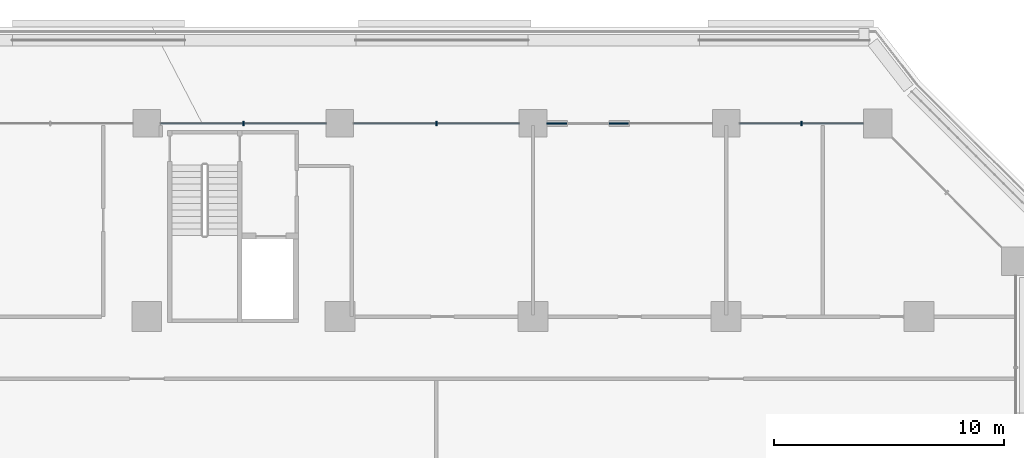
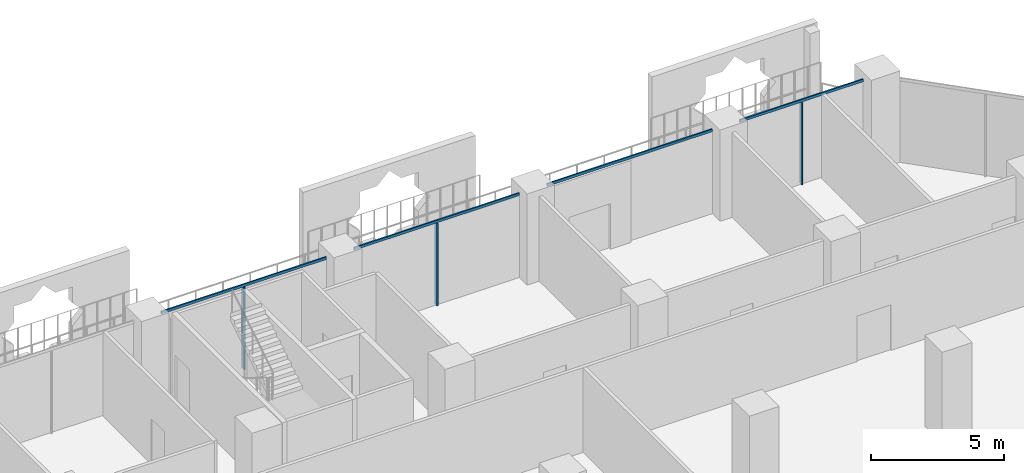
# One storey, part 9 of 27: 7 members, 1 element without a shape of its own.
"""IFC4 building model written with IfcOpenShell, lengths in metres."""

from ifc_helpers import new_model, si_unit, direction, frame, origin, origin_2d, place, context, subcontext, project, spatial, rectangle, extrude, material, layer, layer_set, material_profile, profile_set, type_object, element, aggregate, save


model = new_model("IFC4")

# Units and contexts
model_context = context("Model", 3, precision=1e-05, world=origin(), true_north=direction((0.0, 1.0)))
body_context = subcontext(model_context, "Body", "Model", "MODEL_VIEW")
ifc_project = project(units=[si_unit("LENGTHUNIT", "METRE"), si_unit("AREAUNIT", "SQUARE_METRE"), si_unit("VOLUMEUNIT", "CUBIC_METRE"), si_unit("PLANEANGLEUNIT", "RADIAN"), si_unit("MASSUNIT", "GRAM", prefix="KILO")], contexts=[model_context])

# Site, building, storey
site_placement = place(None, origin())
site = spatial("IfcSite", under=ifc_project, at=site_placement, CompositionType="ELEMENT")
building_placement = place(site_placement, origin())
building = spatial("IfcBuilding", under=site, at=building_placement, Name="Kawkab Arch Medical Tower", CompositionType="ELEMENT")
storey_placement = place(building_placement, frame((0.0, 0.0, 43.39990234375)))
storey = spatial("IfcBuildingStorey", under=building, at=storey_placement, Name="L09", CompositionType="ELEMENT", Elevation=43.39990234375)

# Curtain wall, members
ifc_material_1 = material(Name="Bronze anodised aluminium curtain wall frame", Category="aluminium")
ifc_layer = layer(ifc_material_1, 0.159912109375)
ifc_layer_set = layer_set([ifc_layer], Name="Bronze anodised aluminium curtain wall frame")
curtain_wall_type = type_object("IfcCurtainWallType", Name="CW1 ward curtain wall", PredefinedType="NOTDEFINED", material=ifc_layer_set)
curtain_wall_placement = place(storey_placement, origin())
curtain_wall = element("IfcCurtainWall", 1, at=curtain_wall_placement, inside=storey, type_object=curtain_wall_type, Name="CW1 Ward curtain wall R09", PredefinedType="NOTDEFINED")
ifc_material_2 = material(Name="Bronze anodised aluminium curtain wall frame", Category="aluminium")
ifc_material_profile_1 = material_profile(ifc_material_2, rectangle(XDim=0.179931640625, YDim=0.06005859375, at=origin_2d()), Name="AL 60x180")
ifc_profile_set_1 = profile_set([ifc_material_profile_1], Name="Bronze anodised aluminium curtain wall frame")
member_type_1 = type_object("IfcMemberType", Name="CW1 mullion 60 x 180", PredefinedType="MULLION", material=ifc_profile_set_1)
member_1_placement = place(storey_placement, frame((70.487548828125, 0.0, 0.0), z_axis=(0.0, 0.0, 1.0), x_axis=(0.0, -1.0, 0.0)))
member_1 = element("IfcMember", 2, at=member_1_placement, type_object=member_type_1, Name="CW1 mullion 1.1", PredefinedType="MULLION", context=body_context, shape_type="SweptSolid", body=[
    extrude(rectangle(XDim=0.179931640625, YDim=0.06005859375, at=origin_2d()), origin(), (0.0, 0.0, 1.0), 3.780029296875),
])
member_2_placement = place(storey_placement, frame((54.60009765625, 0.0, 0.0), z_axis=(0.0, 0.0, 1.0), x_axis=(0.0, -1.0, 0.0)))
member_2 = element("IfcMember", 3, at=member_2_placement, type_object=member_type_1, Name="CW1 mullion 3.1", PredefinedType="MULLION", context=body_context, shape_type="SweptSolid", body=[
    extrude(rectangle(XDim=0.179931640625, YDim=0.06005859375, at=origin_2d()), origin(), (0.0, 0.0, 1.0), 3.780029296875),
])
member_3_placement = place(storey_placement, frame((46.199951171875, 0.0, 0.0), z_axis=(0.0, 0.0, 1.0), x_axis=(0.0, -1.0, 0.0)))
member_3 = element("IfcMember", 4, at=member_3_placement, type_object=member_type_1, Name="CW1 mullion 4.1", PredefinedType="MULLION", context=body_context, shape_type="SweptSolid", body=[
    extrude(rectangle(XDim=0.179931640625, YDim=0.06005859375, at=origin_2d()), origin(), (0.0, 0.0, 1.0), 3.780029296875),
])
ifc_material_3 = material(Name="Bronze anodised aluminium curtain wall frame", Category="aluminium")
ifc_material_profile_2 = material_profile(ifc_material_3, rectangle(XDim=0.06005859375, YDim=0.1201171875, at=origin_2d()), Name="AL 60x120")
ifc_profile_set_2 = profile_set([ifc_material_profile_2], Name="Bronze anodised aluminium curtain wall frame")
member_type_2 = type_object("IfcMemberType", Name="CW1 transom 120 x 60", PredefinedType="USERDEFINED", material=ifc_profile_set_2)
member_4_placement = place(storey_placement, frame((73.175048828125, 0.0, 3.840087890625), z_axis=(-1.0, 0.0, 0.0), x_axis=(0.0, -1.0, 0.0)))
member_4 = element("IfcMember", 5, at=member_4_placement, type_object=member_type_2, Name="CW1 transom 1", ObjectType="TRANSOM", PredefinedType="USERDEFINED", context=body_context, shape_type="SweptSolid", body=[
    extrude(rectangle(XDim=0.06005859375, YDim=0.1201171875, at=origin_2d()), origin(), (0.0, 0.0, 1.0), 5.375),
])
member_5_placement = place(storey_placement, frame((66.60009765625, 0.0, 3.840087890625), z_axis=(-1.0, 0.0, 0.0), x_axis=(0.0, -1.0, 0.0)))
member_5 = element("IfcMember", 6, at=member_5_placement, type_object=member_type_2, Name="CW1 transom 2", ObjectType="TRANSOM", PredefinedType="USERDEFINED", context=body_context, shape_type="SweptSolid", body=[
    extrude(rectangle(XDim=0.06005859375, YDim=0.1201171875, at=origin_2d()), origin(), (0.0, 0.0, 1.0), 7.2001953125),
])
member_6_placement = place(storey_placement, frame((58.199951171875, 0.0, 3.840087890625), z_axis=(-1.0, 0.0, 0.0), x_axis=(0.0, -1.0, 0.0)))
member_6 = element("IfcMember", 7, at=member_6_placement, type_object=member_type_2, Name="CW1 transom 3", ObjectType="TRANSOM", PredefinedType="USERDEFINED", context=body_context, shape_type="SweptSolid", body=[
    extrude(rectangle(XDim=0.06005859375, YDim=0.1201171875, at=origin_2d()), origin(), (0.0, 0.0, 1.0), 7.199951171875),
])
member_7_placement = place(storey_placement, frame((49.800048828125, 0.0, 3.840087890625), z_axis=(-1.0, 0.0, 0.0), x_axis=(0.0, -1.0, 0.0)))
member_7 = element("IfcMember", 8, at=member_7_placement, type_object=member_type_2, Name="CW1 transom 4", ObjectType="TRANSOM", PredefinedType="USERDEFINED", context=body_context, shape_type="SweptSolid", body=[
    extrude(rectangle(XDim=0.06005859375, YDim=0.1201171875, at=origin_2d()), origin(), (0.0, 0.0, 1.0), 7.199951171875),
])
aggregate(curtain_wall, [member_4, member_1, member_5, member_6, member_2, member_7, member_3])

save(model, "model.ifc")
